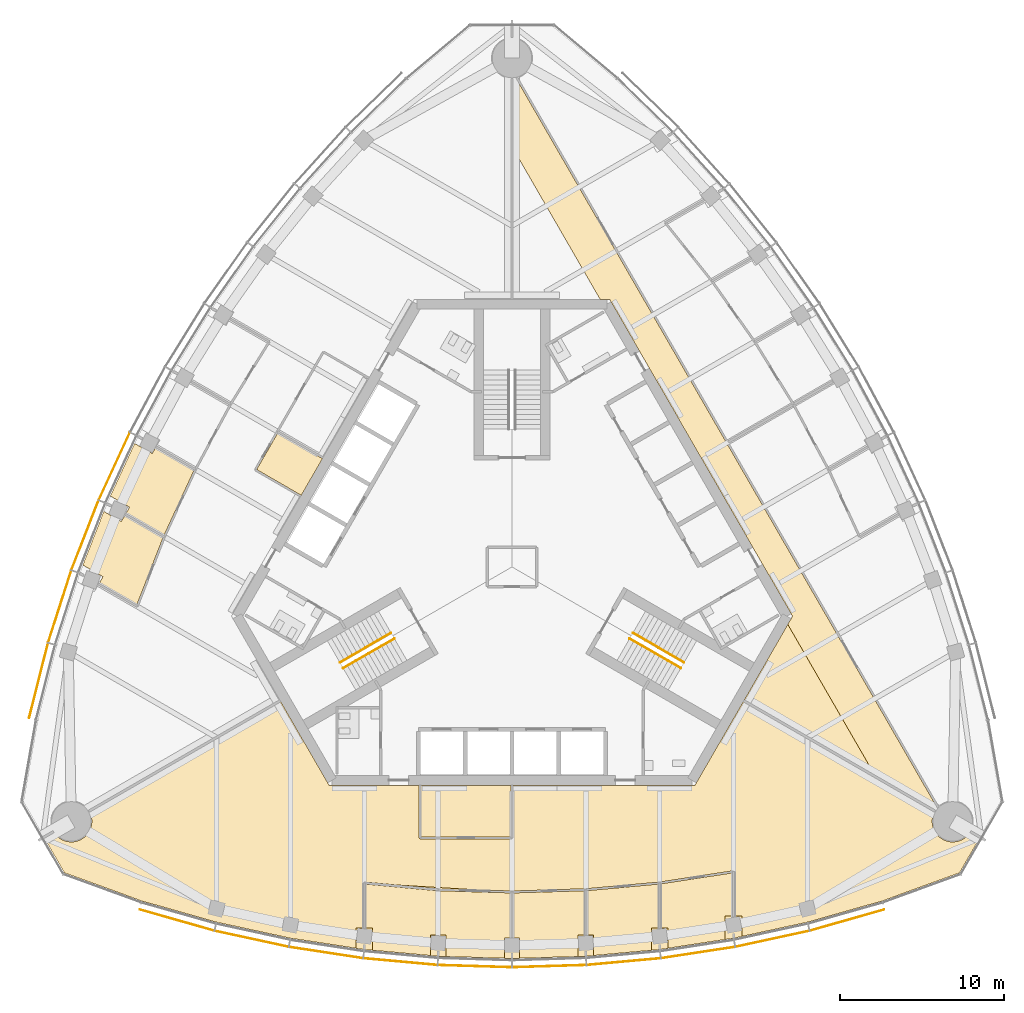
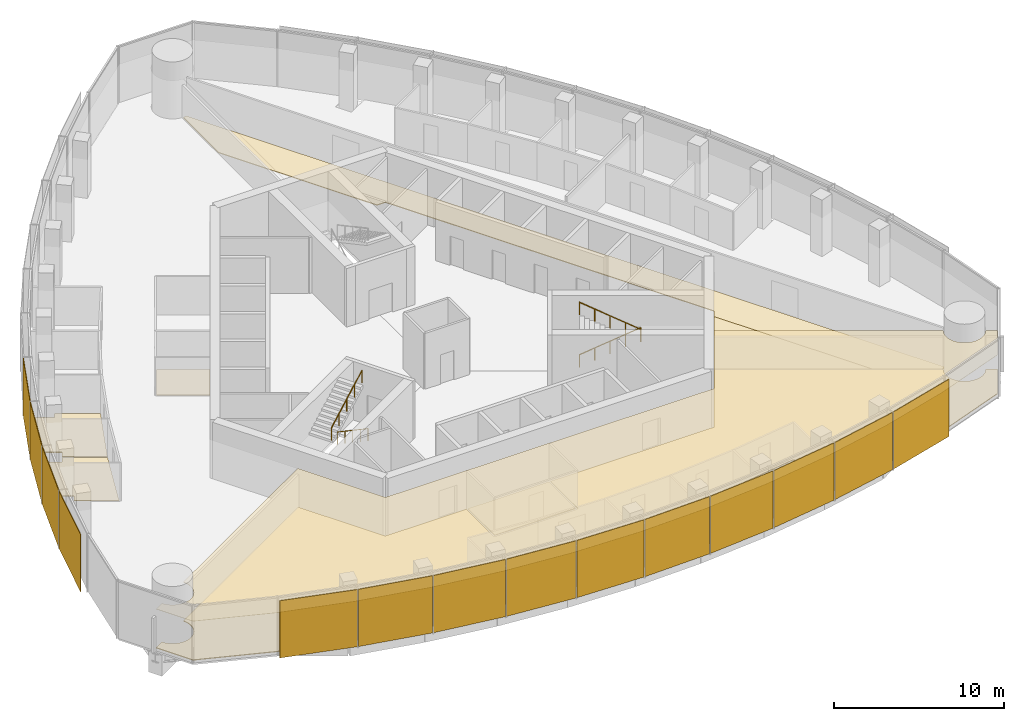
# One storey, part 12 of 16: 14 shading devices, 12 coverings, 4 railings.
"""IFC4 building model written with IfcOpenShell, lengths in metres."""

from ifc_helpers import new_model, si_unit, direction, frame, origin, origin_2d, place, context, subcontext, project, spatial, polyline, rectangle, circle, outline, extrude, material, layer, layer_set, type_object, element, save


model = new_model("IFC4")

# Units and contexts
model_context = context("Model", 3, precision=1e-05, world=origin(), true_north=direction((0.0, 1.0)))
body_context = subcontext(model_context, "Body", "Model", "MODEL_VIEW")
ifc_project = project(units=[si_unit("LENGTHUNIT", "METRE"), si_unit("AREAUNIT", "SQUARE_METRE"), si_unit("VOLUMEUNIT", "CUBIC_METRE"), si_unit("PLANEANGLEUNIT", "RADIAN"), si_unit("MASSUNIT", "GRAM", prefix="KILO")], contexts=[model_context])

# Site, building, storey
site_placement = place(None, origin())
site = spatial("IfcSite", under=ifc_project, at=site_placement, CompositionType="ELEMENT")
building_placement = place(site_placement, origin())
building = spatial("IfcBuilding", under=site, at=building_placement, Name="Trefoil Bronze Tower", CompositionType="ELEMENT")
storey_placement = place(building_placement, frame((0.0, 0.0, 301.5)))
storey = spatial("IfcBuildingStorey", under=building, at=storey_placement, Name="L69", CompositionType="ELEMENT", Elevation=301.5)

# Shading devices
ifc_material_1 = material(Name="Perforated bronze sheet", Category="bronze")
ifc_layer_1 = layer(ifc_material_1, 0.0400390625)
ifc_layer_set_1 = layer_set([ifc_layer_1], Name="Bronze solar screen panel")
shading_device_type = type_object("IfcShadingDeviceType", Name="Bronze solar screen panel", PredefinedType="SHUTTER", material=ifc_layer_set_1)
shading_device_1_placement = place(storey_placement, frame((-20.42138671875, -21.515625, 0.050048828125), z_axis=(0.0, 0.0, 1.0), x_axis=(0.962097746943, -0.272704831875, 0.0)))
element("IfcShadingDevice", 1, at=shading_device_1_placement, inside=storey, type_object=shading_device_type, Name="Solar screen CW-A L69 F1 bay 1", PredefinedType="SHUTTER", context=body_context, shape_type="SweptSolid", body=[
    extrude(rectangle(XDim=4.697509765625, YDim=0.0400390625, at=origin_2d()), origin(), (0.0, 0.0, 1.0), 4.10009765625),
])
shading_device_2_placement = place(storey_placement, frame((-15.864501953125, -22.65625, 0.050048828125), z_axis=(0.0, 0.0, 1.0), x_axis=(0.977303138829, -0.211845639168, 0.0)))
element("IfcShadingDevice", 2, at=shading_device_2_placement, inside=storey, type_object=shading_device_type, Name="Solar screen CW-A L69 F1 bay 2", PredefinedType="SHUTTER", context=body_context, shape_type="SweptSolid", body=[
    extrude(rectangle(XDim=4.574462890625, YDim=0.0400390625, at=origin_2d()), origin(), (0.0, 0.0, 1.0), 4.10009765625),
])
shading_device_3_placement = place(storey_placement, frame((-11.331787109375, -23.494384765625, 0.050048828125), z_axis=(0.0, 0.0, 1.0), x_axis=(0.988485337216, -0.151316681529, 0.0)))
element("IfcShadingDevice", 3, at=shading_device_3_placement, inside=storey, type_object=shading_device_type, Name="Solar screen CW-A L69 F1 bay 3", PredefinedType="SHUTTER", context=body_context, shape_type="SweptSolid", body=[
    extrude(rectangle(XDim=4.5224609375, YDim=0.0400390625, at=origin_2d()), origin(), (0.0, 0.0, 1.0), 4.10009765625),
])
shading_device_4_placement = place(storey_placement, frame((-6.799072265625, -24.048095703125, 0.050048828125), z_axis=(0.0, 0.0, 1.0), x_axis=(0.99587011625, -0.090789380212, 0.0)))
element("IfcShadingDevice", 4, at=shading_device_4_placement, inside=storey, type_object=shading_device_type, Name="Solar screen CW-A L69 F1 bay 4", PredefinedType="SHUTTER", context=body_context, shape_type="SweptSolid", body=[
    extrude(rectangle(XDim=4.48876953125, YDim=0.0400390625, at=origin_2d()), origin(), (0.0, 0.0, 1.0), 4.10009765625),
])
for number, where, z_axis, x_axis, name in (
    (5, (-2.266357421875, -24.3232421875, 0.050048828125), (0.0, 0.0, 1.0), (0.999541969785, -0.030263024264, 0.0), "Solar screen CW-A L69 F1 bay 5"),
    (6, (2.266357421875, -24.3232421875, 0.050048828125), (0.0, 0.0, 1.0), (0.999541969785, 0.030263024264, 0.0), "Solar screen CW-A L69 F1 bay 6"),
):
    element("IfcShadingDevice", number, at=place(storey_placement, frame(where, z_axis=z_axis, x_axis=x_axis)), inside=storey, type_object=shading_device_type, Name=name, PredefinedType="SHUTTER", context=body_context, shape_type="SweptSolid", body=[
        extrude(rectangle(XDim=4.47216796875, YDim=0.0400390625, at=origin_2d()), origin(), (0.0, 0.0, 1.0), 4.10009765625),
    ])
shading_device_5_placement = place(storey_placement, frame((6.799072265625, -24.048095703125, 0.050048828125), z_axis=(0.0, 0.0, 1.0), x_axis=(0.99587011625, 0.090789380212, 0.0)))
element("IfcShadingDevice", 7, at=shading_device_5_placement, inside=storey, type_object=shading_device_type, Name="Solar screen CW-A L69 F1 bay 7", PredefinedType="SHUTTER", context=body_context, shape_type="SweptSolid", body=[
    extrude(rectangle(XDim=4.48876953125, YDim=0.0400390625, at=origin_2d()), origin(), (0.0, 0.0, 1.0), 4.10009765625),
])
shading_device_6_placement = place(storey_placement, frame((11.331787109375, -23.494384765625, 0.050048828125), z_axis=(0.0, 0.0, 1.0), x_axis=(0.988485337216, 0.151316681529, 0.0)))
element("IfcShadingDevice", 8, at=shading_device_6_placement, inside=storey, type_object=shading_device_type, Name="Solar screen CW-A L69 F1 bay 8", PredefinedType="SHUTTER", context=body_context, shape_type="SweptSolid", body=[
    extrude(rectangle(XDim=4.5224609375, YDim=0.0400390625, at=origin_2d()), origin(), (0.0, 0.0, 1.0), 4.10009765625),
])
shading_device_7_placement = place(storey_placement, frame((15.864501953125, -22.65625, 0.050048828125), z_axis=(0.0, 0.0, 1.0), x_axis=(0.977303138829, 0.211845639168, 0.0)))
element("IfcShadingDevice", 9, at=shading_device_7_placement, inside=storey, type_object=shading_device_type, Name="Solar screen CW-A L69 F1 bay 9", PredefinedType="SHUTTER", context=body_context, shape_type="SweptSolid", body=[
    extrude(rectangle(XDim=4.574462890625, YDim=0.0400390625, at=origin_2d()), origin(), (0.0, 0.0, 1.0), 4.10009765625),
])
shading_device_8_placement = place(storey_placement, frame((20.42138671875, -21.515625, 0.050048828125), z_axis=(0.0, 0.0, 1.0), x_axis=(0.962097746943, 0.272704831875, 0.0)))
element("IfcShadingDevice", 10, at=shading_device_8_placement, inside=storey, type_object=shading_device_type, Name="Solar screen CW-A L69 F1 bay 10", PredefinedType="SHUTTER", context=body_context, shape_type="SweptSolid", body=[
    extrude(rectangle(XDim=4.697509765625, YDim=0.0400390625, at=origin_2d()), origin(), (0.0, 0.0, 1.0), 4.10009765625),
])
shading_device_9_placement = place(storey_placement, frame((-24.2255859375, 6.135986328125, 0.050048828125), z_axis=(0.0, 0.0, 1.0), x_axis=(-0.419309148468, -0.907843509649, 0.0)))
element("IfcShadingDevice", 11, at=shading_device_9_placement, inside=storey, type_object=shading_device_type, Name="Solar screen CW-A L69 F3 bay 7", PredefinedType="SHUTTER", context=body_context, shape_type="SweptSolid", body=[
    extrude(rectangle(XDim=4.48876953125, YDim=0.0400390625, at=origin_2d()), origin(), (0.0, 0.0, 1.0), 4.10009765625),
])
shading_device_10_placement = place(storey_placement, frame((-26.0126953125, 1.93359375, 0.050048828125), z_axis=(0.0, 0.0, 1.0), x_axis=(-0.363198578387, -0.931711754062, 0.0)))
element("IfcShadingDevice", 12, at=shading_device_10_placement, inside=storey, type_object=shading_device_type, Name="Solar screen CW-A L69 F3 bay 8", PredefinedType="SHUTTER", context=body_context, shape_type="SweptSolid", body=[
    extrude(rectangle(XDim=4.5224609375, YDim=0.0400390625, at=origin_2d()), origin(), (0.0, 0.0, 1.0), 4.10009765625),
])
shading_device_11_placement = place(storey_placement, frame((-27.55322265625, -2.410888671875, 0.050048828125), z_axis=(0.0, 0.0, 1.0), x_axis=(-0.305187864214, -0.952292165009, 0.0)))
element("IfcShadingDevice", 13, at=shading_device_11_placement, inside=storey, type_object=shading_device_type, Name="Solar screen CW-A L69 F3 bay 9", PredefinedType="SHUTTER", context=body_context, shape_type="SweptSolid", body=[
    extrude(rectangle(XDim=4.574462890625, YDim=0.0400390625, at=origin_2d()), origin(), (0.0, 0.0, 1.0), 4.10009765625),
])
shading_device_12_placement = place(storey_placement, frame((-28.843994140625, -6.927490234375, 0.050048828125), z_axis=(0.0, 0.0, 1.0), x_axis=(-0.244879561333, -0.969553505713, 0.0)))
element("IfcShadingDevice", 14, at=shading_device_12_placement, inside=storey, type_object=shading_device_type, Name="Solar screen CW-A L69 F3 bay 10", PredefinedType="SHUTTER", context=body_context, shape_type="SweptSolid", body=[
    extrude(rectangle(XDim=4.697509765625, YDim=0.0400390625, at=origin_2d()), origin(), (0.0, 0.0, 1.0), 4.10009765625),
])

# Railings
ifc_material_2 = material(Name="Steel handrail", Category="steel")
railing_type = type_object("IfcRailingType", Name="Handrail 900", PredefinedType="HANDRAIL", material=ifc_material_2)
railing_1_placement = place(storey_placement, frame((7.365966796875, -4.021728515625, 0.16162109375)))
element("IfcRailing", 15, at=railing_1_placement, inside=storey, type_object=railing_type, Name="Handrail ST1 flight 1 L69", PredefinedType="HANDRAIL", context=body_context, shape_type="SweptSolid", body=[
    extrude(circle(Radius=0.02392578125, at=origin_2d()), frame((0.0, 0.0, 0.8759765625), z_axis=(0.76250339821, -0.440245697338, 0.474101564745), x_axis=(0.500012057535, 0.866018442252, 0.0)), (0.0, 0.0, 1.0), 4.088623046875),
    extrude(circle(Radius=0.02099609375, at=origin_2d()), origin(), (0.0, 0.0, 1.0), 0.851806640625),
    extrude(circle(Radius=0.02099609375, at=origin_2d()), frame((0.779296875, -0.449951171875, 0.484619140625)), (0.0, 0.0, 1.0), 0.851806640625),
    extrude(circle(Radius=0.02099609375, at=origin_2d()), frame((1.558837890625, -0.89990234375, 0.96923828125)), (0.0, 0.0, 1.0), 0.851806640625),
    extrude(circle(Radius=0.02099609375, at=origin_2d()), frame((2.33837890625, -1.35009765625, 1.453857421875)), (0.0, 0.0, 1.0), 0.851806640625),
    extrude(circle(Radius=0.02099609375, at=origin_2d()), frame((3.11767578125, -1.800048828125, 1.9384765625)), (0.0, 0.0, 1.0), 0.851806640625),
])
railing_2_placement = place(storey_placement, frame((10.28369140625, -6.168212890625, 2.261474609375)))
element("IfcRailing", 16, at=railing_2_placement, inside=storey, type_object=railing_type, Name="Handrail ST1 flight 2 L69", PredefinedType="HANDRAIL", context=body_context, shape_type="SweptSolid", body=[
    extrude(circle(Radius=0.02392578125, at=origin_2d()), frame((0.0, 0.0, 0.8759765625), z_axis=(-0.76250339821, 0.440245697338, 0.474101564745), x_axis=(-0.500012057535, -0.866018442252, 0.0)), (0.0, 0.0, 1.0), 4.088623046875),
    extrude(circle(Radius=0.02099609375, at=origin_2d()), origin(), (0.0, 0.0, 1.0), 0.851806640625),
    extrude(circle(Radius=0.02099609375, at=origin_2d()), frame((-0.779296875, 0.449951171875, 0.484619140625)), (0.0, 0.0, 1.0), 0.851806640625),
    extrude(circle(Radius=0.02099609375, at=origin_2d()), frame((-1.558837890625, 0.89990234375, 0.96923828125)), (0.0, 0.0, 1.0), 0.851806640625),
    extrude(circle(Radius=0.02099609375, at=origin_2d()), frame((-2.33837890625, 1.35009765625, 1.453857421875)), (0.0, 0.0, 1.0), 0.851806640625),
    extrude(circle(Radius=0.02099609375, at=origin_2d()), frame((-3.11767578125, 1.800048828125, 1.9384765625)), (0.0, 0.0, 1.0), 0.851806640625),
])
railing_3_placement = place(storey_placement, frame((-7.166015625, -4.3681640625, 0.16162109375)))
element("IfcRailing", 17, at=railing_3_placement, inside=storey, type_object=railing_type, Name="Handrail ST3 flight 1 L69", PredefinedType="HANDRAIL", context=body_context, shape_type="SweptSolid", body=[
    extrude(circle(Radius=0.02392578125, at=origin_2d()), frame((0.0, 0.0, 0.8759765625), z_axis=(-0.76250339821, -0.440245697338, 0.474101564745), x_axis=(0.500012057535, -0.866018442252, 0.0)), (0.0, 0.0, 1.0), 4.088623046875),
    extrude(circle(Radius=0.02099609375, at=origin_2d()), origin(), (0.0, 0.0, 1.0), 0.851806640625),
    extrude(circle(Radius=0.02099609375, at=origin_2d()), frame((-0.779296875, -0.449951171875, 0.484619140625)), (0.0, 0.0, 1.0), 0.851806640625),
    extrude(circle(Radius=0.02099609375, at=origin_2d()), frame((-1.558837890625, -0.89990234375, 0.96923828125)), (0.0, 0.0, 1.0), 0.851806640625),
    extrude(circle(Radius=0.02099609375, at=origin_2d()), frame((-2.33837890625, -1.35009765625, 1.453857421875)), (0.0, 0.0, 1.0), 0.851806640625),
    extrude(circle(Radius=0.02099609375, at=origin_2d()), frame((-3.11767578125, -1.800048828125, 1.9384765625)), (0.0, 0.0, 1.0), 0.851806640625),
])
railing_4_placement = place(storey_placement, frame((-10.483642578125, -5.82177734375, 2.261474609375)))
element("IfcRailing", 18, at=railing_4_placement, inside=storey, type_object=railing_type, Name="Handrail ST3 flight 2 L69", PredefinedType="HANDRAIL", context=body_context, shape_type="SweptSolid", body=[
    extrude(circle(Radius=0.02392578125, at=origin_2d()), frame((0.0, 0.0, 0.8759765625), z_axis=(0.76250339821, 0.440245697338, 0.474101564745), x_axis=(-0.500012057535, 0.866018442252, 0.0)), (0.0, 0.0, 1.0), 4.088623046875),
    extrude(circle(Radius=0.02099609375, at=origin_2d()), origin(), (0.0, 0.0, 1.0), 0.851806640625),
    extrude(circle(Radius=0.02099609375, at=origin_2d()), frame((0.779296875, 0.449951171875, 0.484619140625)), (0.0, 0.0, 1.0), 0.851806640625),
    extrude(circle(Radius=0.02099609375, at=origin_2d()), frame((1.558837890625, 0.89990234375, 0.96923828125)), (0.0, 0.0, 1.0), 0.851806640625),
    extrude(circle(Radius=0.02099609375, at=origin_2d()), frame((2.33837890625, 1.35009765625, 1.453857421875)), (0.0, 0.0, 1.0), 0.851806640625),
    extrude(circle(Radius=0.02099609375, at=origin_2d()), frame((3.11767578125, 1.800048828125, 1.9384765625)), (0.0, 0.0, 1.0), 0.851806640625),
])

# Coverings
ifc_material_3 = material(Name="Acoustic ceiling panels", Category="mineral fibre")
ifc_layer_2 = layer(ifc_material_3, 0.02001953125)
ifc_layer_set_2 = layer_set([ifc_layer_2], Name="Office ceiling 20")
covering_type_1 = type_object("IfcCoveringType", Name="Office ceiling 20", PredefinedType="CEILING", material=ifc_layer_set_2)
covering_1_placement = place(storey_placement, frame((0.0, 0.0, 2.89990234375)))
element("IfcCovering", 19, at=covering_1_placement, inside=storey, type_object=covering_type_1, Name="Ceiling L69 Open-plan office F1", PredefinedType="CEILING", context=body_context, shape_type="SweptSolid", body=[
    extrude(outline(polyline([(-27.885986328125, -16.194580078125), (-27.850830078125, -16.24462890625), (-27.81298828125, -16.29296875), (-27.77294921875, -16.33935546875), (-27.730712890625, -16.3837890625), (-27.686279296875, -16.42626953125), (-27.639892578125, -16.46630859375), (-27.59130859375, -16.50390625), (-27.541259765625, -16.539306640625), (-27.489501953125, -16.572265625), (-27.43603515625, -16.602294921875), (-27.381103515625, -16.6298828125), (-27.3251953125, -16.65478515625), (-27.267822265625, -16.677001953125), (-27.209716796875, -16.6962890625), (-27.150390625, -16.71240234375), (-27.0908203125, -16.72607421875), (-27.0302734375, -16.736572265625), (-26.96923828125, -16.743896484375), (-26.908203125, -16.74853515625), (-26.8466796875, -16.75), (-26.785400390625, -16.74853515625), (-26.724365234375, -16.743896484375), (-26.663330078125, -16.736572265625), (-26.602783203125, -16.72607421875), (-26.543212890625, -16.71240234375), (-26.48388671875, -16.6962890625), (-26.42578125, -16.677001953125), (-26.368408203125, -16.65478515625), (-26.312255859375, -16.6298828125), (-26.257568359375, -16.602294921875), (-26.2041015625, -16.572265625), (-26.15234375, -16.539306640625), (-26.102294921875, -16.50390625), (-26.0537109375, -16.46630859375), (-26.00732421875, -16.42626953125), (-25.962890625, -16.3837890625), (-25.920654296875, -16.33935546875), (-25.880615234375, -16.29296875), (-25.8427734375, -16.24462890625), (-25.8076171875, -16.194580078125), (-25.774658203125, -16.142578125), (-25.744384765625, -16.089111328125), (-25.716796875, -16.034423828125), (-25.69189453125, -15.978515625), (-25.669921875, -15.921142578125), (-25.650634765625, -15.86279296875), (-25.63427734375, -15.8037109375), (-25.620849609375, -15.743896484375), (-25.6103515625, -15.683349609375), (-25.602783203125, -15.62255859375), (-25.598388671875, -15.561279296875), (-25.5966796875, -15.5), (-25.598388671875, -15.438720703125), (-25.602783203125, -15.37744140625), (-25.6103515625, -15.316650390625), (-25.620849609375, -15.256103515625), (-25.63427734375, -15.1962890625), (-25.650634765625, -15.13720703125), (-25.669921875, -15.078857421875), (-25.69189453125, -15.021484375), (-25.716796875, -14.965576171875), (-25.759033203125, -14.885009765625), (-14.11328125, -8.1552734375), (-11.142822265625, -13.300048828125), (11.142822265625, -13.300048828125), (14.11328125, -8.1552734375), (25.759033203125, -14.885009765625), (25.716796875, -14.965576171875), (25.69189453125, -15.021484375), (25.669921875, -15.078857421875), (25.650634765625, -15.13720703125), (25.63427734375, -15.1962890625), (25.620849609375, -15.256103515625), (25.6103515625, -15.316650390625), (25.602783203125, -15.37744140625), (25.598388671875, -15.438720703125), (25.5966796875, -15.5), (25.598388671875, -15.561279296875), (25.602783203125, -15.62255859375), (25.6103515625, -15.683349609375), (25.620849609375, -15.743896484375), (25.63427734375, -15.8037109375), (25.650634765625, -15.86279296875), (25.669921875, -15.921142578125), (25.69189453125, -15.978515625), (25.716796875, -16.034423828125), (25.744384765625, -16.089111328125), (25.774658203125, -16.142578125), (25.8076171875, -16.194580078125), (25.8427734375, -16.24462890625), (25.880615234375, -16.29296875), (25.920654296875, -16.33935546875), (25.962890625, -16.3837890625), (26.00732421875, -16.42626953125), (26.0537109375, -16.46630859375), (26.102294921875, -16.50390625), (26.15234375, -16.539306640625), (26.2041015625, -16.572265625), (26.257568359375, -16.602294921875), (26.312255859375, -16.6298828125), (26.368408203125, -16.65478515625), (26.42578125, -16.677001953125), (26.48388671875, -16.6962890625), (26.543212890625, -16.71240234375), (26.602783203125, -16.72607421875), (26.663330078125, -16.736572265625), (26.724365234375, -16.743896484375), (26.785400390625, -16.74853515625), (26.8466796875, -16.75), (26.908203125, -16.74853515625), (26.96923828125, -16.743896484375), (27.0302734375, -16.736572265625), (27.0908203125, -16.72607421875), (27.150390625, -16.71240234375), (27.209716796875, -16.6962890625), (27.267822265625, -16.677001953125), (27.3251953125, -16.65478515625), (27.381103515625, -16.6298828125), (27.43603515625, -16.602294921875), (27.489501953125, -16.572265625), (27.541259765625, -16.539306640625), (27.59130859375, -16.50390625), (27.639892578125, -16.46630859375), (27.686279296875, -16.42626953125), (27.730712890625, -16.3837890625), (27.77294921875, -16.33935546875), (27.81298828125, -16.29296875), (27.850830078125, -16.24462890625), (27.885986328125, -16.194580078125), (27.923095703125, -16.135498046875), (28.510009765625, -16.474609375), (27.26220703125, -18.635986328125), (22.54833984375, -20.3515625), (18.0, -21.640869140625), (13.5, -22.6162109375), (9.0, -23.30517578125), (4.5, -23.71533203125), (0.0, -23.8515625), (-4.5, -23.71533203125), (-9.0, -23.30517578125), (-13.5, -22.6162109375), (-18.0, -21.640869140625), (-22.54833984375, -20.3515625), (-27.26220703125, -18.635986328125), (-28.510009765625, -16.474609375), (-27.923095703125, -16.135498046875), (-27.885986328125, -16.194580078125)])), origin(), (0.0, 0.0, 1.0), 0.02001953125),
])
ifc_material_4 = material(Name="Raised access floor panels", Category="steel")
ifc_layer_3 = layer(ifc_material_4, 0.050048828125)
ifc_layer_set_3 = layer_set([ifc_layer_3], Name="Raised access floor 150")
covering_type_2 = type_object("IfcCoveringType", Name="Raised access floor 150", PredefinedType="FLOORING", material=ifc_layer_set_3)
covering_2_placement = place(storey_placement, frame((0.0, 0.0, 0.10009765625)))
element("IfcCovering", 20, at=covering_2_placement, inside=storey, type_object=covering_type_2, Name="Raised floor L69 Meeting room F1", PredefinedType="FLOORING", context=body_context, shape_type="SweptSolid", body=[
    extrude(outline(polyline([(-0.06005859375, -13.300048828125), (-0.06005859375, -16.43994140625), (-5.5400390625, -16.43994140625), (-5.5400390625, -13.300048828125), (-0.06005859375, -13.300048828125)])), origin(), (0.0, 0.0, 1.0), 0.0498046875),
])
covering_3_placement = place(storey_placement, frame((0.0, 0.0, 0.10009765625)))
element("IfcCovering", 21, at=covering_3_placement, inside=storey, type_object=covering_type_2, Name="Raised floor L69 Kitchen and breakout F1", PredefinedType="FLOORING", context=body_context, shape_type="SweptSolid", body=[
    extrude(outline(polyline([(-4.0224609375, -23.729736328125), (-4.0224609375, -22.436279296875), (-4.9775390625, -22.436279296875), (-4.9775390625, -23.671875), (-8.497802734375, -23.350830078125), (-8.497802734375, -21.996826171875), (-8.93994140625, -21.996826171875), (-8.93994140625, -19.32080078125), (-4.50537109375, -19.72509765625), (-4.5, -19.665283203125), (-4.501708984375, -19.725341796875), (-0.06005859375, -19.85986328125), (-0.06005859375, -22.571533203125), (0.0, -22.571533203125), (0.0, -22.6005859375), (-0.450927734375, -22.6005859375), (-0.450927734375, -23.837890625), (-4.0224609375, -23.729736328125)])), origin(), (0.0, 0.0, 1.0), 0.0498046875),
])
covering_4_placement = place(storey_placement, frame((0.0, 0.0, 0.10009765625)))
element("IfcCovering", 22, at=covering_4_placement, inside=storey, type_object=covering_type_2, Name="Raised floor L69 Office F1", PredefinedType="FLOORING", context=body_context, shape_type="SweptSolid", body=[
    extrude(outline(polyline([(0.0, -22.571533203125), (0.06005859375, -22.571533203125), (0.06005859375, -19.85986328125), (4.43994140625, -19.727294921875), (4.43994140625, -22.43310546875), (4.5, -22.43310546875), (4.5, -22.436279296875), (4.0224609375, -22.436279296875), (4.0224609375, -23.729736328125), (0.450927734375, -23.837890625), (0.450927734375, -22.6005859375), (0.0, -22.6005859375), (0.0, -22.571533203125)])), origin(), (0.0, 0.0, 1.0), 0.0498046875),
])
covering_5_placement = place(storey_placement, frame((0.0, 0.0, 0.10009765625)))
element("IfcCovering", 23, at=covering_5_placement, inside=storey, type_object=covering_type_2, Name="Raised floor L69 Office F1", PredefinedType="FLOORING", context=body_context, shape_type="SweptSolid", body=[
    extrude(outline(polyline([(4.5, -22.43310546875), (4.56005859375, -22.43310546875), (4.56005859375, -19.72021484375), (8.93994140625, -19.32080078125), (8.93994140625, -21.996826171875), (8.497802734375, -21.996826171875), (8.497802734375, -23.350830078125), (4.9775390625, -23.671875), (4.9775390625, -22.436279296875), (4.5, -22.436279296875), (4.5, -22.43310546875)])), origin(), (0.0, 0.0, 1.0), 0.0498046875),
])
covering_6_placement = place(storey_placement, frame((0.0, 0.0, 0.10009765625)))
element("IfcCovering", 24, at=covering_6_placement, inside=storey, type_object=covering_type_2, Name="Raised floor L69 Office F1", PredefinedType="FLOORING", context=body_context, shape_type="SweptSolid", body=[
    extrude(outline(polyline([(9.06005859375, -19.306640625), (13.43994140625, -18.635986328125), (13.43994140625, -21.27734375), (12.974609375, -21.27734375), (12.974609375, -22.69677734375), (9.502197265625, -23.228271484375), (9.502197265625, -21.996826171875), (9.06005859375, -21.996826171875), (9.06005859375, -19.306640625)])), origin(), (0.0, 0.0, 1.0), 0.0498046875),
])
covering_7_placement = place(storey_placement, frame((0.0, 0.0, 0.10009765625)))
element("IfcCovering", 25, at=covering_7_placement, inside=storey, type_object=covering_type_2, Name="Raised floor L69 Open-plan office F1", PredefinedType="FLOORING", context=body_context, shape_type="SweptSolid", body=[
    extrude(outline(polyline([(-14.11328125, -8.1552734375), (-11.142822265625, -13.300048828125), (-5.659912109375, -13.300048828125), (-5.659912109375, -16.5), (-5.60009765625, -16.5), (-5.60009765625, -16.56005859375), (0.0, -16.56005859375), (0.0, -16.5), (0.06005859375, -16.5), (0.06005859375, -13.300048828125), (11.142822265625, -13.300048828125), (14.11328125, -8.1552734375), (25.759033203125, -14.885009765625), (25.716796875, -14.965576171875), (25.69189453125, -15.021484375), (25.669921875, -15.078857421875), (25.650634765625, -15.13720703125), (25.63427734375, -15.1962890625), (25.620849609375, -15.256103515625), (25.6103515625, -15.316650390625), (25.602783203125, -15.37744140625), (25.598388671875, -15.438720703125), (25.5966796875, -15.5), (25.598388671875, -15.561279296875), (25.602783203125, -15.62255859375), (25.6103515625, -15.683349609375), (25.620849609375, -15.743896484375), (25.63427734375, -15.8037109375), (25.650634765625, -15.86279296875), (25.669921875, -15.921142578125), (25.69189453125, -15.978515625), (25.716796875, -16.034423828125), (25.744384765625, -16.089111328125), (25.774658203125, -16.142578125), (25.8076171875, -16.194580078125), (25.8427734375, -16.24462890625), (25.880615234375, -16.29296875), (25.920654296875, -16.33935546875), (25.962890625, -16.3837890625), (26.00732421875, -16.42626953125), (26.0537109375, -16.46630859375), (26.102294921875, -16.50390625), (26.15234375, -16.539306640625), (26.2041015625, -16.572265625), (26.257568359375, -16.602294921875), (26.312255859375, -16.6298828125), (26.368408203125, -16.65478515625), (26.42578125, -16.677001953125), (26.48388671875, -16.6962890625), (26.543212890625, -16.71240234375), (26.602783203125, -16.72607421875), (26.663330078125, -16.736572265625), (26.724365234375, -16.743896484375), (26.785400390625, -16.74853515625), (26.8466796875, -16.75), (26.908203125, -16.74853515625), (26.96923828125, -16.743896484375), (27.0302734375, -16.736572265625), (27.0908203125, -16.72607421875), (27.150390625, -16.71240234375), (27.209716796875, -16.6962890625), (27.267822265625, -16.677001953125), (27.3251953125, -16.65478515625), (27.381103515625, -16.6298828125), (27.43603515625, -16.602294921875), (27.489501953125, -16.572265625), (27.541259765625, -16.539306640625), (27.59130859375, -16.50390625), (27.639892578125, -16.46630859375), (27.686279296875, -16.42626953125), (27.730712890625, -16.3837890625), (27.77294921875, -16.33935546875), (27.81298828125, -16.29296875), (27.850830078125, -16.24462890625), (27.885986328125, -16.194580078125), (27.923095703125, -16.135498046875), (28.510009765625, -16.474609375), (27.26220703125, -18.635986328125), (22.54833984375, -20.3515625), (18.0, -21.640869140625), (14.025390625, -22.50244140625), (14.025390625, -21.27734375), (13.56005859375, -21.27734375), (13.56005859375, -18.566162109375), (13.5, -18.566162109375), (13.490966796875, -18.5068359375), (8.99267578125, -19.195556640625), (4.496337890625, -19.60546875), (0.0, -19.74169921875), (-1.9716796875, -19.681884765625), (-7.02099609375, -19.375244140625), (-8.99462890625, -19.1953125), (-9.0, -19.255126953125), (-9.06005859375, -19.255126953125), (-9.06005859375, -21.996826171875), (-9.502197265625, -21.996826171875), (-9.502197265625, -23.228271484375), (-13.5, -22.6162109375), (-18.0, -21.640869140625), (-22.54833984375, -20.3515625), (-27.26220703125, -18.635986328125), (-28.510009765625, -16.474609375), (-27.923095703125, -16.135498046875), (-27.885986328125, -16.194580078125), (-27.850830078125, -16.24462890625), (-27.81298828125, -16.29296875), (-27.77294921875, -16.33935546875), (-27.730712890625, -16.3837890625), (-27.686279296875, -16.42626953125), (-27.639892578125, -16.46630859375), (-27.59130859375, -16.50390625), (-27.541259765625, -16.539306640625), (-27.489501953125, -16.572265625), (-27.43603515625, -16.602294921875), (-27.381103515625, -16.6298828125), (-27.3251953125, -16.65478515625), (-27.267822265625, -16.677001953125), (-27.209716796875, -16.6962890625), (-27.150390625, -16.71240234375), (-27.0908203125, -16.72607421875), (-27.0302734375, -16.736572265625), (-26.96923828125, -16.743896484375), (-26.908203125, -16.74853515625), (-26.8466796875, -16.75), (-26.785400390625, -16.74853515625), (-26.724365234375, -16.743896484375), (-26.663330078125, -16.736572265625), (-26.602783203125, -16.72607421875), (-26.543212890625, -16.71240234375), (-26.48388671875, -16.6962890625), (-26.42578125, -16.677001953125), (-26.368408203125, -16.65478515625), (-26.312255859375, -16.6298828125), (-26.257568359375, -16.602294921875), (-26.2041015625, -16.572265625), (-26.15234375, -16.539306640625), (-26.102294921875, -16.50390625), (-26.0537109375, -16.46630859375), (-26.00732421875, -16.42626953125), (-25.962890625, -16.3837890625), (-25.920654296875, -16.33935546875), (-25.880615234375, -16.29296875), (-25.8427734375, -16.24462890625), (-25.8076171875, -16.194580078125), (-25.774658203125, -16.142578125), (-25.744384765625, -16.089111328125), (-25.716796875, -16.034423828125), (-25.69189453125, -15.978515625), (-25.669921875, -15.921142578125), (-25.650634765625, -15.86279296875), (-25.63427734375, -15.8037109375), (-25.620849609375, -15.743896484375), (-25.6103515625, -15.683349609375), (-25.602783203125, -15.62255859375), (-25.598388671875, -15.561279296875), (-25.5966796875, -15.5), (-25.598388671875, -15.438720703125), (-25.602783203125, -15.37744140625), (-25.6103515625, -15.316650390625), (-25.620849609375, -15.256103515625), (-25.63427734375, -15.1962890625), (-25.650634765625, -15.13720703125), (-25.669921875, -15.078857421875), (-25.69189453125, -15.021484375), (-25.716796875, -14.965576171875), (-25.759033203125, -14.885009765625), (-14.11328125, -8.1552734375)])), origin(), (0.0, 0.0, 1.0), 0.0498046875),
])
covering_8_placement = place(storey_placement, frame((0.0, 0.0, 0.10009765625)))
element("IfcCovering", 26, at=covering_8_placement, inside=storey, type_object=covering_type_2, Name="Raised floor L69 Corridor F2", PredefinedType="FLOORING", context=body_context, shape_type="SweptSolid", body=[
    extrude(outline(polyline([(25.77001953125, -14.865478515625), (22.16064453125, -12.783447265625), (16.80078125, -3.5), (17.089599609375, -3.0), (5.94677734375, 16.300048828125), (5.369384765625, 16.300048828125), (0.009521484375, 25.58349609375), (0.01123046875, 29.750244140625), (0.061279296875, 29.75146484375), (0.12255859375, 29.756103515625), (0.183349609375, 29.763427734375), (0.24560546875, 29.7744140625), (25.908447265625, -14.6748046875), (25.880615234375, -14.70703125), (25.8427734375, -14.75537109375), (25.8076171875, -14.805419921875), (25.77001953125, -14.865478515625)])), origin(), (0.0, 0.0, 1.0), 0.0498046875),
])
covering_9_placement = place(storey_placement, frame((0.0, 0.0, 0.10009765625)))
element("IfcCovering", 27, at=covering_9_placement, inside=storey, type_object=covering_type_2, Name="Raised floor L69 Open-plan office F2", PredefinedType="FLOORING", context=body_context, shape_type="SweptSolid", body=[
    extrude(outline(polyline([(22.16064453125, -12.783447265625), (14.119384765625, -8.144775390625), (16.80078125, -3.5), (22.16064453125, -12.783447265625)])), origin(), (0.0, 0.0, 1.0), 0.0498046875),
])
covering_10_placement = place(storey_placement, frame((0.0, 0.0, 0.10009765625)))
element("IfcCovering", 28, at=covering_10_placement, inside=storey, type_object=covering_type_2, Name="Raised floor L69 Pantry F3", PredefinedType="FLOORING", context=body_context, shape_type="SweptSolid", body=[
    extrude(outline(polyline([(-12.838134765625, 4.36376953125), (-15.5576171875, 5.93359375), (-14.267578125, 8.16796875), (-11.548095703125, 6.597900390625), (-12.838134765625, 4.36376953125)])), origin(), (0.0, 0.0, 1.0), 0.0498046875),
])
covering_11_placement = place(storey_placement, frame((0.0, 0.0, 0.10009765625)))
element("IfcCovering", 29, at=covering_11_placement, inside=storey, type_object=covering_type_2, Name="Raised floor L69 Office F3", PredefinedType="FLOORING", context=body_context, shape_type="SweptSolid", body=[
    extrude(outline(polyline([(-21.677490234375, 7.3193359375), (-21.70751953125, 7.267333984375), (-19.358154296875, 5.910888671875), (-21.202392578125, 1.918212890625), (-23.519775390625, 3.256103515625), (-23.298583984375, 3.63916015625), (-24.47119140625, 4.316162109375), (-22.989013671875, 7.525390625), (-21.919189453125, 6.90771484375), (-21.680419921875, 7.321044921875), (-21.677490234375, 7.3193359375)])), origin(), (0.0, 0.0, 1.0), 0.0498046875),
])
covering_12_placement = place(storey_placement, frame((0.0, 0.0, 0.10009765625)))
element("IfcCovering", 30, at=covering_12_placement, inside=storey, type_object=covering_type_2, Name="Raised floor L69 Office F3", PredefinedType="FLOORING", context=body_context, shape_type="SweptSolid", body=[
    extrude(outline(polyline([(-24.867431640625, 3.385009765625), (-23.801025390625, 2.769287109375), (-23.579833984375, 3.152099609375), (-21.25, 1.80712890625), (-22.859375, -2.3212890625), (-25.146728515625, -1.000732421875), (-24.9140625, -0.59765625), (-26.143310546875, 0.112060546875), (-24.867431640625, 3.385009765625)])), origin(), (0.0, 0.0, 1.0), 0.0498046875),
])

save(model, "model.ifc")
